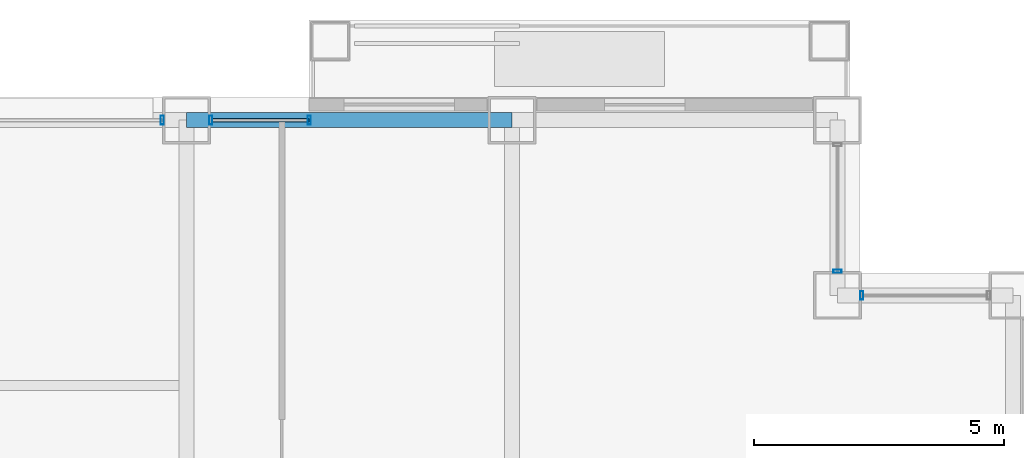
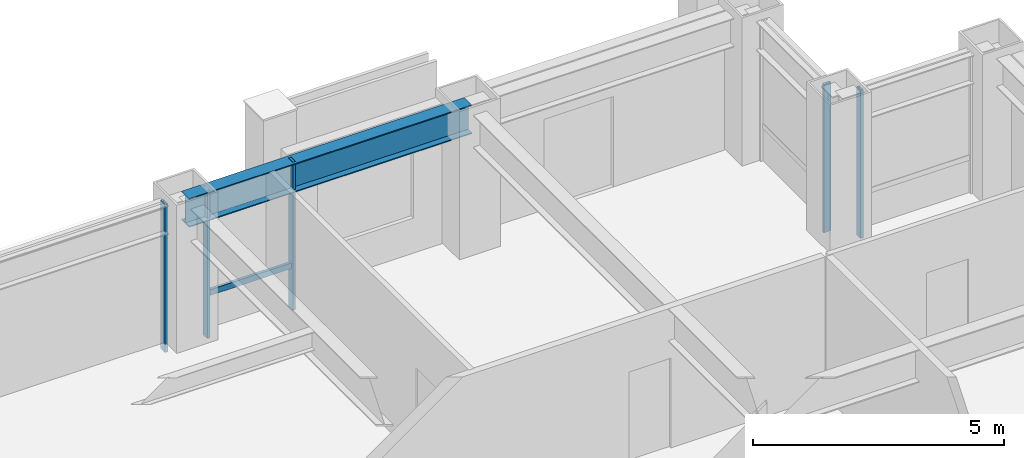
# One storey, part 21 of 31: 6 members, 1 beam, 4 elements without a shape of their own.
"""IFC4 building model written with IfcOpenShell, lengths in metres."""

from ifc_helpers import new_model, si_unit, direction, frame, origin, origin_2d, place, context, subcontext, project, spatial, hollow_rectangle, i_section, extrude, material, layer, layer_set, material_profile, profile_set, type_object, element, aggregate, save


model = new_model("IFC4")

# Units and contexts
model_context = context("Model", 3, precision=1e-05, world=origin(), true_north=direction((0.0, 1.0)))
body_context = subcontext(model_context, "Body", "Model", "MODEL_VIEW")
ifc_project = project(units=[si_unit("LENGTHUNIT", "METRE"), si_unit("AREAUNIT", "SQUARE_METRE"), si_unit("VOLUMEUNIT", "CUBIC_METRE"), si_unit("PLANEANGLEUNIT", "RADIAN"), si_unit("MASSUNIT", "GRAM", prefix="KILO")], contexts=[model_context])

# Site, building, storey
site_placement = place(None, origin())
site = spatial("IfcSite", under=ifc_project, at=site_placement, CompositionType="ELEMENT")
building_placement = place(site_placement, origin())
building = spatial("IfcBuilding", under=site, at=building_placement, Name="Brelmoor Portico Tower", CompositionType="ELEMENT")
storey_placement = place(building_placement, frame((0.0, 0.0, 38.39990234375)))
storey = spatial("IfcBuildingStorey", under=building, at=storey_placement, Name="L09", CompositionType="ELEMENT", Elevation=38.39990234375)

# Beam
ifc_material_1 = material(Name="Steel Q355B", Category="steel")
ifc_material_profile_1 = material_profile(ifc_material_1, i_section(OverallWidth=0.300048828125, OverallDepth=0.699951171875, WebThickness=0.012939453125, FlangeThickness=0.02392578125, at=origin_2d()), Name="HN 700x300x13x24")
ifc_profile_set_1 = profile_set([ifc_material_profile_1], Name="Steel Q355B")
beam_type = type_object("IfcBeamType", Name="BM-SP-700", PredefinedType="SPANDREL", material=ifc_profile_set_1)
beam_placement = place(storey_placement, frame((8.050048828125, 21.550048828125, 3.050048828125), z_axis=(1.0, 0.0, 0.0), x_axis=(0.0, 1.0, 0.0)))
element("IfcBeam", 1, at=beam_placement, inside=storey, type_object=beam_type, Name="L09 Perimeter Spandrel Beam SP-13", PredefinedType="SPANDREL", context=body_context, shape_type="SweptSolid", body=[
    extrude(i_section(OverallWidth=0.300048828125, OverallDepth=0.699951171875, WebThickness=0.012939453125, FlangeThickness=0.02392578125, at=origin_2d()), origin(), (0.0, 0.0, 1.0), 6.5),
])

# Curtain wall, member
ifc_material_2 = material(Name="Anodised Aluminium Alloy 6063-T6", Category="aluminium")
ifc_layer_1 = layer(ifc_material_2, 0.179931640625)
ifc_layer_set_1 = layer_set([ifc_layer_1], Name="Anodised Aluminium Alloy 6063-T6")
curtain_wall_type_1 = type_object("IfcCurtainWallType", Name="CW-NOTCH-CHAMFER", PredefinedType="NOTDEFINED", material=ifc_layer_set_1)
curtain_wall_1_placement = place(storey_placement, origin())
curtain_wall_1 = element("IfcCurtainWall", 2, at=curtain_wall_1_placement, inside=storey, type_object=curtain_wall_type_1, Name="L09 Curtain Wall CWN-L09-NEH", PredefinedType="NOTDEFINED")
ifc_material_profile_2 = material_profile(ifc_material_2, hollow_rectangle(XDim=0.06494140625, YDim=0.1650390625, WallThickness=0.00390625, at=origin_2d()), Name="ALU MULLION 65x165")
ifc_profile_set_2 = profile_set([ifc_material_profile_2], Name="Anodised Aluminium Alloy 6063-T6")
member_type_1 = type_object("IfcMemberType", Name="MB-CW-MULL-165", PredefinedType="MULLION", material=ifc_profile_set_2)
member_1_placement = place(storey_placement, frame((21.534912109375, 18.050048828125, -0.199951171875), z_axis=(0.0, 0.0, 1.0), x_axis=(1.0, 0.0, 0.0)))
member_1 = element("IfcMember", 3, at=member_1_placement, type_object=member_type_1, Name="CWN-L09-NEH Mullion 00", PredefinedType="MULLION", context=body_context, shape_type="SweptSolid", body=[
    extrude(hollow_rectangle(XDim=0.06494140625, YDim=0.1650390625, WallThickness=0.00390625, at=origin_2d()), origin(), (0.0, 0.0, 1.0), 3.60009765625),
])
aggregate(curtain_wall_1, [member_1])

curtain_wall_2_placement = place(storey_placement, origin())
curtain_wall_2 = element("IfcCurtainWall", 4, at=curtain_wall_2_placement, inside=storey, type_object=curtain_wall_type_1, Name="L09 Curtain Wall CWN-L09-NEV", PredefinedType="NOTDEFINED")
member_2_placement = place(storey_placement, frame((21.050048828125, 18.534912109375, -0.199951171875), z_axis=(0.0, 0.0, 1.0), x_axis=(0.0, 1.0, 0.0)))
member_2 = element("IfcMember", 5, at=member_2_placement, type_object=member_type_1, Name="CWN-L09-NEV Mullion 00", PredefinedType="MULLION", context=body_context, shape_type="SweptSolid", body=[
    extrude(hollow_rectangle(XDim=0.06494140625, YDim=0.1650390625, WallThickness=0.00390625, at=origin_2d()), origin(), (0.0, 0.0, 1.0), 3.60009765625),
])
aggregate(curtain_wall_2, [member_2])

ifc_layer_2 = layer(ifc_material_2, 0.179931640625)
ifc_layer_set_2 = layer_set([ifc_layer_2], Name="Anodised Aluminium Alloy 6063-T6")
curtain_wall_type_2 = type_object("IfcCurtainWallType", Name="CW-TOWER-Z1-XB", PredefinedType="NOTDEFINED", material=ifc_layer_set_2)
curtain_wall_3_placement = place(storey_placement, origin())
curtain_wall_3 = element("IfcCurtainWall", 6, at=curtain_wall_3_placement, inside=storey, type_object=curtain_wall_type_2, Name="L09 Curtain Wall CW-L09-2L-3", PredefinedType="NOTDEFINED")
ifc_material_profile_3 = material_profile(ifc_material_2, hollow_rectangle(XDim=0.06494140625, YDim=0.179931640625, WallThickness=0.00390625, at=origin_2d()), Name="ALU MULLION 65x180")
ifc_profile_set_3 = profile_set([ifc_material_profile_3], Name="Anodised Aluminium Alloy 6063-T6")
member_type_2 = type_object("IfcMemberType", Name="MB-CW-MULL-180", PredefinedType="MULLION", material=ifc_profile_set_3)
member_3_placement = place(storey_placement, frame((7.56494140625, 21.550048828125, -0.199951171875), z_axis=(0.0, 0.0, 1.0), x_axis=(1.0, 0.0, 0.0)))
member_3 = element("IfcMember", 7, at=member_3_placement, type_object=member_type_2, Name="CW-L09-2L-3 Mullion 01", PredefinedType="MULLION", context=body_context, shape_type="SweptSolid", body=[
    extrude(hollow_rectangle(XDim=0.06494140625, YDim=0.179931640625, WallThickness=0.00390625, at=origin_2d()), origin(), (0.0, 0.0, 1.0), 3.60009765625),
])
aggregate(curtain_wall_3, [member_3])

# Curtain wall, members
ifc_layer_3 = layer(ifc_material_2, 0.179931640625)
ifc_layer_set_3 = layer_set([ifc_layer_3], Name="Anodised Aluminium Alloy 6063-T6")
curtain_wall_type_3 = type_object("IfcCurtainWallType", Name="CW-TOWER-Z1", PredefinedType="NOTDEFINED", material=ifc_layer_set_3)
curtain_wall_4_placement = place(storey_placement, origin())
curtain_wall_4 = element("IfcCurtainWall", 8, at=curtain_wall_4_placement, inside=storey, type_object=curtain_wall_type_3, Name="L09 Curtain Wall CW-L09-2L-4", PredefinedType="NOTDEFINED")
member_4_placement = place(storey_placement, frame((8.534912109375, 21.550048828125, -0.199951171875), z_axis=(0.0, 0.0, 1.0), x_axis=(1.0, 0.0, 0.0)))
member_4 = element("IfcMember", 9, at=member_4_placement, type_object=member_type_2, Name="CW-L09-2L-4 Mullion 00", PredefinedType="MULLION", context=body_context, shape_type="SweptSolid", body=[
    extrude(hollow_rectangle(XDim=0.06494140625, YDim=0.179931640625, WallThickness=0.00390625, at=origin_2d()), origin(), (0.0, 0.0, 1.0), 3.60009765625),
])
member_5_placement = place(storey_placement, frame((10.5, 21.550048828125, -0.199951171875), z_axis=(0.0, 0.0, 1.0), x_axis=(1.0, 0.0, 0.0)))
member_5 = element("IfcMember", 10, at=member_5_placement, type_object=member_type_2, Name="CW-L09-2L-4 Mullion 01", PredefinedType="MULLION", context=body_context, shape_type="SweptSolid", body=[
    extrude(hollow_rectangle(XDim=0.06494140625, YDim=0.179931640625, WallThickness=0.00390625, at=origin_2d()), origin(), (0.0, 0.0, 1.0), 3.60009765625),
])
ifc_material_profile_4 = material_profile(ifc_material_2, hollow_rectangle(XDim=0.06494140625, YDim=0.139892578125, WallThickness=0.00390625, at=origin_2d()), Name="ALU TRANSOM 65x140")
ifc_profile_set_4 = profile_set([ifc_material_profile_4], Name="Anodised Aluminium Alloy 6063-T6")
member_type_3 = type_object("IfcMemberType", Name="MB-CW-TRAN-140", PredefinedType="USERDEFINED", material=ifc_profile_set_4)
member_6_placement = place(storey_placement, frame((8.534912109375, 21.550048828125, 0.85009765625), z_axis=(1.0, 0.0, 0.0), x_axis=(0.0, 1.0, 0.0)))
member_6 = element("IfcMember", 11, at=member_6_placement, type_object=member_type_3, Name="CW-L09-2L-4 Transom 1-00", ObjectType="TRANSOM", PredefinedType="USERDEFINED", context=body_context, shape_type="SweptSolid", body=[
    extrude(hollow_rectangle(XDim=0.06494140625, YDim=0.139892578125, WallThickness=0.00390625, at=origin_2d()), origin(), (0.0, 0.0, 1.0), 1.965087890625),
])
aggregate(curtain_wall_4, [member_4, member_5, member_6])

save(model, "model.ifc")
